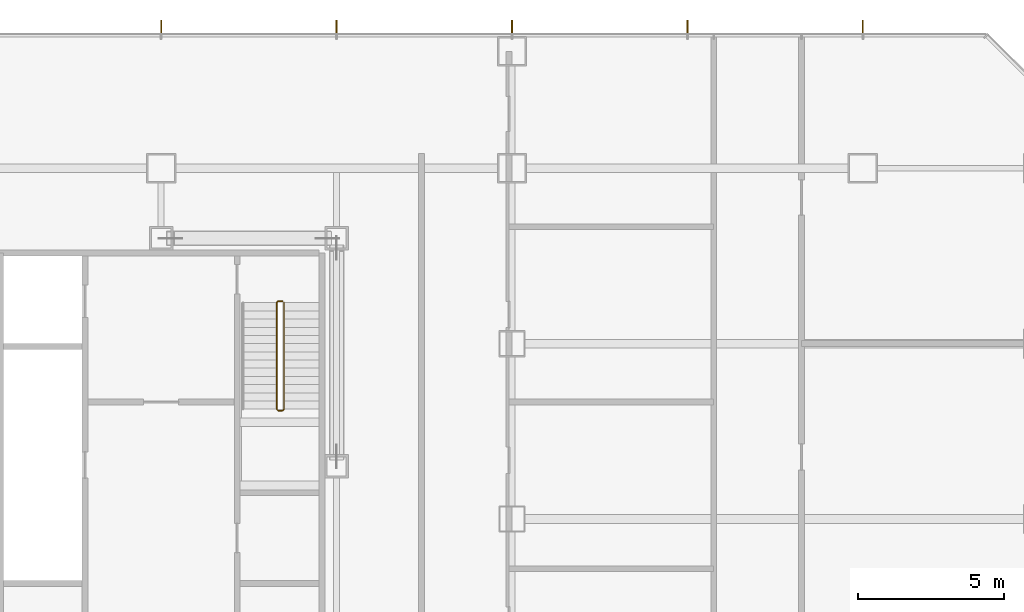
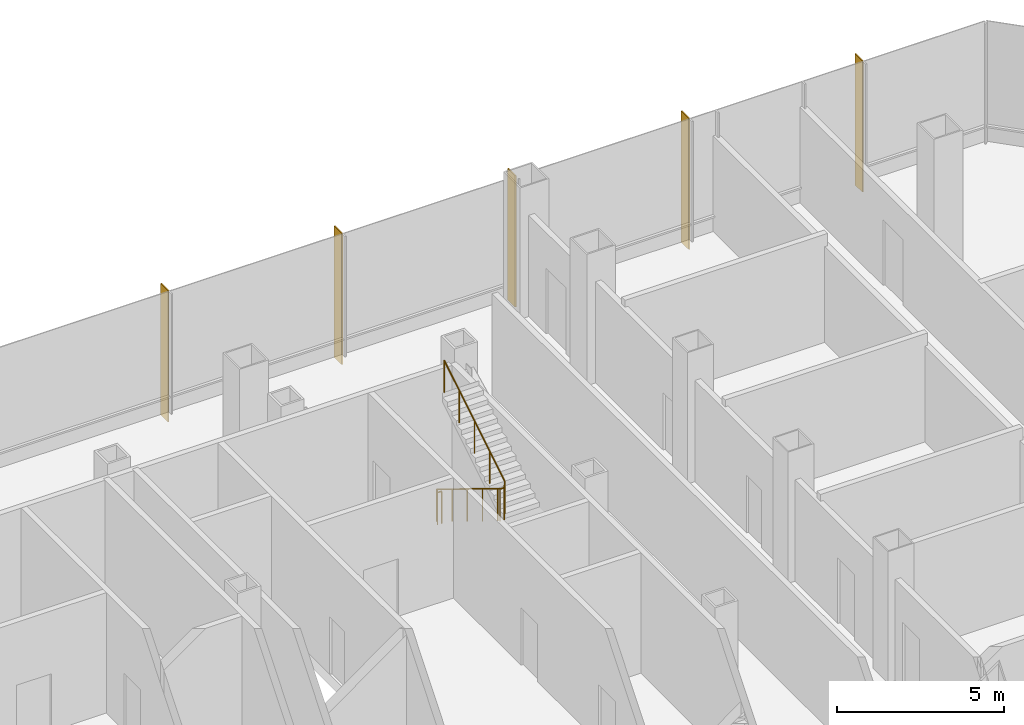
# One storey, part 30 of 33: 5 shading devices, 1 railing.
"""IFC4 building model written with IfcOpenShell, lengths in metres."""

from ifc_helpers import new_model, si_unit, direction, frame, origin, origin_2d, place, context, subcontext, project, spatial, rectangle, circle, extrude, material, material_profile, profile_set, type_object, element, save


model = new_model("IFC4")

# Units and contexts
model_context = context("Model", 3, precision=1e-05, world=origin(), true_north=direction((0.0, 1.0)))
body_context = subcontext(model_context, "Body", "Model", "MODEL_VIEW")
ifc_project = project(units=[si_unit("LENGTHUNIT", "METRE"), si_unit("AREAUNIT", "SQUARE_METRE"), si_unit("VOLUMEUNIT", "CUBIC_METRE"), si_unit("PLANEANGLEUNIT", "RADIAN"), si_unit("MASSUNIT", "GRAM", prefix="KILO")], contexts=[model_context])

# Site, building, storey
site_placement = place(None, origin())
site = spatial("IfcSite", under=ifc_project, at=site_placement, CompositionType="ELEMENT")
building_placement = place(site_placement, origin())
building = spatial("IfcBuilding", under=site, at=building_placement, Name="Sorahane Residences", CompositionType="ELEMENT")
storey_placement = place(building_placement, frame((0.0, 0.0, 34.800048828125)))
storey = spatial("IfcBuildingStorey", under=building, at=storey_placement, Name="L05", CompositionType="ELEMENT", Elevation=34.800048828125)

# Shading devices
ifc_material_1 = material(Name="Terracotta anodised aluminium", Category="masonry")
ifc_material_profile = material_profile(ifc_material_1, rectangle(XDim=0.449951171875, YDim=0.0400390625, at=origin_2d()), Name="Podium vertical fin terracotta anodised aluminium 450x40")
ifc_profile_set = profile_set([ifc_material_profile], Name="Terracotta anodised aluminium")
shading_device_type = type_object("IfcShadingDeviceType", Name="Podium vertical fin terracotta anodised aluminium 450x40", PredefinedType="USERDEFINED", material=ifc_profile_set)
for number, where, z_axis, x_axis, name in (
    (1, (60.0, 52.844970703125, -0.400146484375), (0.0, 0.0, 1.0), (0.0, 1.0, 0.0), "Podium vertical fin L05 N1.1"),
    (2, (54.0, 52.844970703125, -0.400146484375), (0.0, 0.0, 1.0), (0.0, 1.0, 0.0), "Podium vertical fin L05 N1.2"),
    (3, (48.0, 52.844970703125, -0.400146484375), (0.0, 0.0, 1.0), (0.0, 1.0, 0.0), "Podium vertical fin L05 N1.3"),
    (4, (42.0, 52.844970703125, -0.400146484375), (0.0, 0.0, 1.0), (0.0, 1.0, 0.0), "Podium vertical fin L05 N1.4"),
    (5, (36.0, 52.844970703125, -0.400146484375), (0.0, 0.0, 1.0), (0.0, 1.0, 0.0), "Podium vertical fin L05 N1.5"),
):
    element("IfcShadingDevice", number, at=place(storey_placement, frame(where, z_axis=z_axis, x_axis=x_axis)), inside=storey, type_object=shading_device_type, Name=name, ObjectType="Vertical fin", PredefinedType="USERDEFINED", context=body_context, shape_type="SweptSolid", body=[
        extrude(rectangle(XDim=0.449951171875, YDim=0.0400390625, at=origin_2d()), origin(), (0.0, 0.0, 1.0), 4.800048828125),
    ])

# Railing
ifc_material_2 = material(Name="Steel Q355B", Category="steel")
railing_type = type_object("IfcRailingType", Name="Stair guard 1200 Steel Q355B", PredefinedType="GUARDRAIL", material=ifc_material_2)
railing_placement = place(storey_placement, frame((40.14990234375, 43.449951171875, 0.0)))
element("IfcRailing", 6, at=railing_placement, inside=storey, type_object=railing_type, Name="L05 S2 stair guard 1", PredefinedType="GUARDRAIL", context=body_context, shape_type="SweptSolid", body=[
    extrude(circle(Radius=0.02392578125, at=origin_2d()), frame((0.0, 0.0, 1.17578125), z_axis=(-1.0, 0.0, 0.0), x_axis=(0.0, -1.0, 0.0)), (0.0, 0.0, 1.0), 0.14990234375),
    extrude(circle(Radius=0.02392578125, at=origin_2d()), frame((-0.14990234375, 0.0, 1.17578125), z_axis=(-0.269911200495, -0.269911200495, 0.924281281696), x_axis=(0.707106781187, -0.707106781187, 0.0)), (0.0, 0.0, 1.0), 0.185546875),
    extrude(circle(Radius=0.02392578125, at=origin_2d()), frame((-0.199951171875, -0.050048828125, 1.34716796875), z_axis=(0.0, -0.852850264322, 0.5221555579), x_axis=(1.0, 0.0, 0.0)), (0.0, 0.0, 1.0), 4.267822265625),
    extrude(circle(Radius=0.02392578125, at=origin_2d()), frame((-0.199951171875, -3.68994140625, 3.57568359375), z_axis=(0.707106781187, -0.707106781187, 0.0), x_axis=(0.707106781187, 0.707106781187, 0.0)), (0.0, 0.0, 1.0), 0.07080078125),
    extrude(circle(Radius=0.02392578125, at=origin_2d()), frame((-0.14990234375, -3.739990234375, 3.57568359375), z_axis=(1.0, 0.0, 0.0), x_axis=(0.0, 1.0, 0.0)), (0.0, 0.0, 1.0), 0.14990234375),
    extrude(circle(Radius=0.02392578125, at=origin_2d()), frame((0.0, -3.739990234375, 3.57568359375), z_axis=(0.269911200495, 0.269911200495, 0.924281281696), x_axis=(-0.707106781187, 0.707106781187, 0.0)), (0.0, 0.0, 1.0), 0.185546875),
    extrude(circle(Radius=0.02392578125, at=origin_2d()), frame((0.050048828125, -3.68994140625, 3.7470703125), z_axis=(0.0, 0.852824790078, 0.522197163366), x_axis=(-1.0, 0.0, 0.0)), (0.0, 0.0, 1.0), 4.26806640625),
    extrude(circle(Radius=0.02099609375, at=origin_2d()), origin(), (0.0, 0.0, 1.0), 1.15185546875),
    extrude(circle(Radius=0.02099609375, at=origin_2d()), frame((-0.14990234375, 0.0, 0.0)), (0.0, 0.0, 1.0), 1.15185546875),
    extrude(circle(Radius=0.02099609375, at=origin_2d()), frame((-0.199951171875, -0.050048828125, 0.17138671875)), (0.0, 0.0, 1.0), 1.15185546875),
    extrude(circle(Radius=0.02099609375, at=origin_2d()), frame((-0.199951171875, -0.9599609375, 0.728515625)), (0.0, 0.0, 1.0), 1.15185546875),
    extrude(circle(Radius=0.02099609375, at=origin_2d()), frame((-0.199951171875, -1.8701171875, 1.28564453125)), (0.0, 0.0, 1.0), 1.15185546875),
    extrude(circle(Radius=0.02099609375, at=origin_2d()), frame((-0.199951171875, -2.780029296875, 1.8427734375)), (0.0, 0.0, 1.0), 1.15185546875),
    extrude(circle(Radius=0.02099609375, at=origin_2d()), frame((-0.199951171875, -3.68994140625, 2.39990234375)), (0.0, 0.0, 1.0), 1.15185546875),
    extrude(circle(Radius=0.02099609375, at=origin_2d()), frame((-0.14990234375, -3.739990234375, 2.39990234375)), (0.0, 0.0, 1.0), 1.15185546875),
    extrude(circle(Radius=0.02099609375, at=origin_2d()), frame((0.0, -3.739990234375, 2.39990234375)), (0.0, 0.0, 1.0), 1.15185546875),
    extrude(circle(Radius=0.02099609375, at=origin_2d()), frame((0.050048828125, -3.68994140625, 2.5712890625)), (0.0, 0.0, 1.0), 1.15185546875),
    extrude(circle(Radius=0.02099609375, at=origin_2d()), frame((0.050048828125, -2.780029296875, 3.12841796875)), (0.0, 0.0, 1.0), 1.15185546875),
    extrude(circle(Radius=0.02099609375, at=origin_2d()), frame((0.050048828125, -1.8701171875, 3.685546875)), (0.0, 0.0, 1.0), 1.15185546875),
    extrude(circle(Radius=0.02099609375, at=origin_2d()), frame((0.050048828125, -0.9599609375, 4.242919921875)), (0.0, 0.0, 1.0), 1.15185546875),
    extrude(circle(Radius=0.02099609375, at=origin_2d()), frame((0.050048828125, -0.050048828125, 4.800048828125)), (0.0, 0.0, 1.0), 1.15185546875),
])

save(model, "model.ifc")
